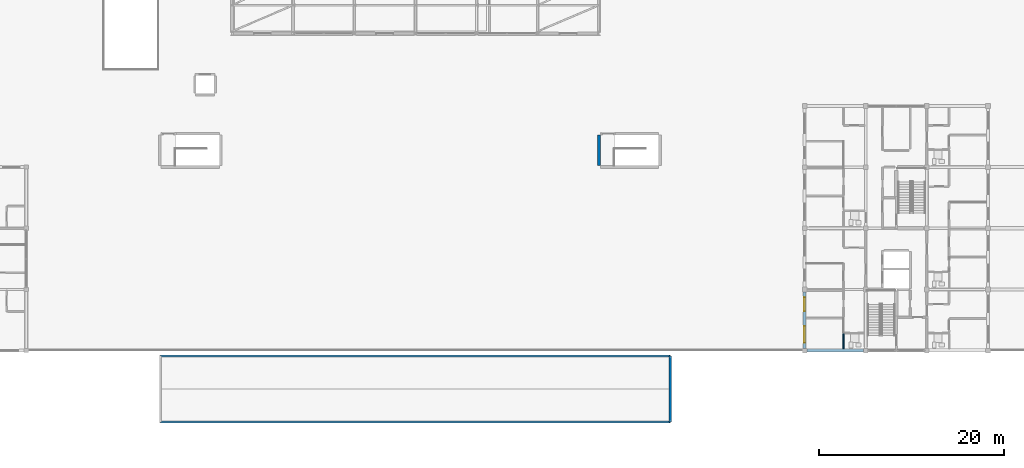
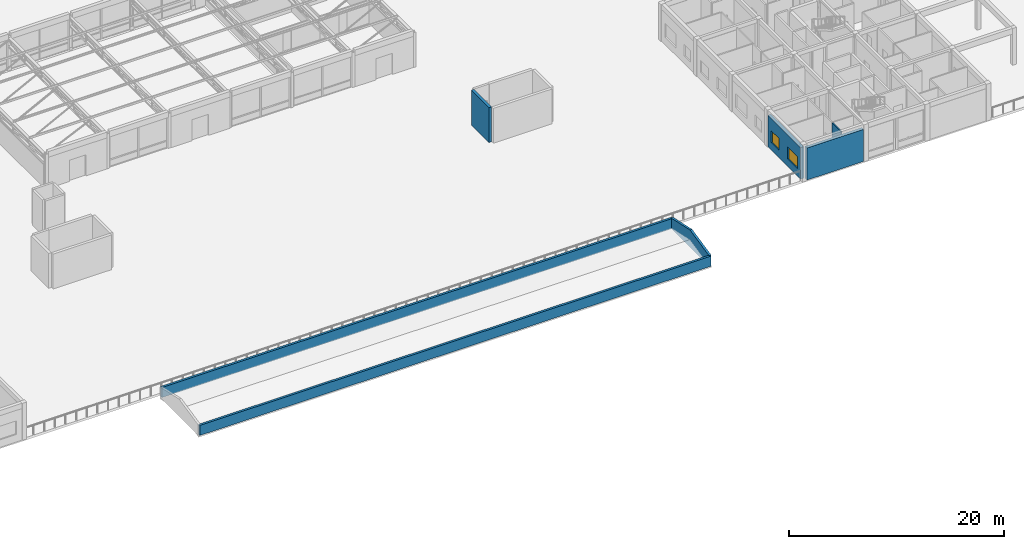
# One storey, part 67 of 92: 7 walls, 2 windows, 2 openings.
"""IFC4 building model written with IfcOpenShell, lengths in metres."""

from ifc_helpers import new_model, si_unit, direction, frame, frame_2d, origin, place, context, subcontext, project, spatial, polyline, rectangle, outline, extrude, material, layer, layer_set, type_object, element, fill, save


model = new_model("IFC4")

# Units and contexts
model_context = context("Model", 3, precision=1e-05, world=origin(), true_north=direction((0.0, 1.0)))
body_context = subcontext(model_context, "Body", "Model", "MODEL_VIEW")
ifc_project = project(units=[si_unit("LENGTHUNIT", "METRE"), si_unit("AREAUNIT", "SQUARE_METRE"), si_unit("VOLUMEUNIT", "CUBIC_METRE"), si_unit("PLANEANGLEUNIT", "RADIAN"), si_unit("MASSUNIT", "GRAM", prefix="KILO")], contexts=[model_context])

# Site, building, storey
site_placement = place(None, origin())
site = spatial("IfcSite", under=ifc_project, at=site_placement, CompositionType="ELEMENT")
building_placement = place(site_placement, origin())
building = spatial("IfcBuilding", under=site, at=building_placement, Name="Kernevlak Ridge Housing Community", CompositionType="ELEMENT")
storey_placement = place(building_placement, frame((0.0, 0.0, 4.199951171875)))
storey = spatial("IfcBuildingStorey", under=building, at=storey_placement, Name="L01", CompositionType="ELEMENT", Elevation=4.199951171875)

# Wall, openings, windows
ifc_material_1 = material(Name="Concrete block masonry M10", Category="masonry")
ifc_layer_1 = layer(ifc_material_1, 0.340087890625, Name="Concrete block masonry M10")
ifc_layer_set_1 = layer_set([ifc_layer_1], Name="Concrete block masonry M10")
wall_type_1 = type_object("IfcWallType", Name="EW-04", PredefinedType="STANDARD", material=ifc_layer_set_1)
wall_1_placement = place(storey_placement, frame((126.0, 15.85009765625, 0.0), z_axis=(0.0, 0.0, 1.0), x_axis=(0.0, 1.0, 0.0)))
wall_1 = element("IfcWall", 1, at=wall_1_placement, inside=storey, type_object=wall_type_1, Name="Exterior wall EW-04 L01 546", PredefinedType="STANDARD", context=body_context, shape_type="SweptSolid", body=[
    extrude(rectangle(XDim=6.099853515625, YDim=0.340087890625, at=frame_2d((3.0498046875, 0.0))), origin(), (0.0, 0.0, 1.0), 3.60009765625),
])
opening_1_placement = place(wall_1_placement, frame((0.60009765625, 0.0, 0.85009765625)))
opening_1 = element("IfcOpeningElement", 2, at=opening_1_placement, cuts=wall_1, Name="Opening WT-03", PredefinedType="OPENING", context=body_context, shape_type="SweptSolid", body=[
    extrude(rectangle(XDim=1.800048828125, YDim=1.35009765625, at=frame_2d((0.89990234375, 0.675048828125))), frame((0.0, 0.179931640625, 0.0), z_axis=(0.0, -1.0, 0.0), x_axis=(1.0, 0.0, 0.0)), (0.0, 0.0, 1.0), 0.360107421875),
])
opening_2_placement = place(wall_1_placement, frame((4.0, 0.0, 0.85009765625)))
opening_2 = element("IfcOpeningElement", 3, at=opening_2_placement, cuts=wall_1, Name="Opening WT-02", PredefinedType="OPENING", context=body_context, shape_type="SweptSolid", body=[
    extrude(rectangle(XDim=1.5, YDim=1.35009765625, at=frame_2d((0.75, 0.675048828125))), frame((0.0, 0.179931640625, 0.0), z_axis=(0.0, -1.0, 0.0), x_axis=(1.0, 0.0, 0.0)), (0.0, 0.0, 1.0), 0.360107421875),
])
ifc_material_2 = material(Name="Aluminium EN AW-6060 anodised and laminated glass", Category="aluminium")
window_type_1 = type_object("IfcWindowType", Name="WT-02", PartitioningType="SINGLE_PANEL", PredefinedType="WINDOW", material=ifc_material_2)
window_1_placement = place(opening_2_placement, origin())
window_1 = element("IfcWindow", 4, at=window_1_placement, inside=storey, type_object=window_type_1, Name="Window WT-02 L01 428", OverallHeight=1.35009765625, OverallWidth=1.5, PartitioningType="SINGLE_PANEL", PredefinedType="WINDOW", context=body_context, shape_type="SweptSolid", body=[
    extrude(rectangle(XDim=1.5, YDim=1.35009765625, at=frame_2d((0.75, 0.675048828125))), frame((0.0, 0.030029296875, 0.0), z_axis=(0.0, -1.0, 0.0), x_axis=(1.0, 0.0, 0.0)), (0.0, 0.0, 1.0), 0.06005859375),
])
fill(opening_2, window_1)
window_type_2 = type_object("IfcWindowType", Name="WT-03", PartitioningType="SINGLE_PANEL", PredefinedType="WINDOW", material=ifc_material_2)
window_2_placement = place(opening_1_placement, origin())
window_2 = element("IfcWindow", 5, at=window_2_placement, inside=storey, type_object=window_type_2, Name="Window WT-03 L01 427", OverallHeight=1.35009765625, OverallWidth=1.800048828125, PartitioningType="SINGLE_PANEL", PredefinedType="WINDOW", context=body_context, shape_type="SweptSolid", body=[
    extrude(rectangle(XDim=1.800048828125, YDim=1.35009765625, at=frame_2d((0.89990234375, 0.675048828125))), frame((0.0, 0.030029296875, 0.0), z_axis=(0.0, -1.0, 0.0), x_axis=(1.0, 0.0, 0.0)), (0.0, 0.0, 1.0), 0.06005859375),
])
fill(opening_1, window_2)

# Walls
wall_2_placement = place(storey_placement, frame((126.25, 15.60009765625, 0.0), z_axis=(0.0, 0.0, 1.0), x_axis=(1.0, 0.0, 0.0)))
element("IfcWall", 6, at=wall_2_placement, inside=storey, type_object=wall_type_1, Name="Exterior wall EW-04 L01 554", PredefinedType="STANDARD", context=body_context, shape_type="SweptSolid", body=[
    extrude(rectangle(XDim=6.10009765625, YDim=0.340087890625, at=frame_2d((3.050048828125, 0.0))), origin(), (0.0, 0.0, 1.0), 3.650146484375),
])
ifc_material_3 = material(Name="Concrete C35/45", Category="concrete")
ifc_layer_2 = layer(ifc_material_3, 0.235107421875, Name="Concrete C35/45")
ifc_layer_set_2 = layer_set([ifc_layer_2], Name="Concrete C35/45")
wall_type_2 = type_object("IfcWallType", Name="PR-04", PredefinedType="PARAPET", material=ifc_layer_set_2)
wall_3_placement = place(storey_placement, frame((56.5, 7.89990234375, 0.0), z_axis=(0.0, 0.0, 1.0), x_axis=(1.0, 0.0, 0.0)))
element("IfcWall", 7, at=wall_3_placement, inside=storey, type_object=wall_type_2, Name="Retail roof parapet 1", PredefinedType="PARAPET", context=body_context, shape_type="SweptSolid", body=[
    extrude(rectangle(XDim=55.0, YDim=0.235107421875, at=frame_2d((27.5, 0.0))), origin(), (0.0, 0.0, 1.0), 1.150146484375),
])
wall_4_placement = place(storey_placement, frame((111.5, 7.89990234375, 0.0), z_axis=(0.0, 0.0, 1.0), x_axis=(0.0, 1.0, 0.0)))
element("IfcWall", 8, at=wall_4_placement, inside=storey, type_object=wall_type_2, Name="Retail roof parapet 2", PredefinedType="PARAPET", context=body_context, shape_type="SweptSolid", body=[
    extrude(outline(polyline([(0.0, 0.0), (7.10009765625, 0.0), (7.10009765625, 1.172119140625), (3.550048828125, 1.949951171875), (0.0, 1.172119140625), (0.0, 0.0)])), frame((0.0, 0.11767578125, 0.0), z_axis=(0.0, -1.0, 0.0), x_axis=(1.0, 0.0, 0.0)), (0.0, 0.0, 1.0), 0.235107421875),
])
wall_5_placement = place(storey_placement, frame((111.5, 15.0, 0.0), z_axis=(0.0, 0.0, 1.0), x_axis=(-1.0, 0.0, 0.0)))
element("IfcWall", 9, at=wall_5_placement, inside=storey, type_object=wall_type_2, Name="Retail roof parapet 3", PredefinedType="PARAPET", context=body_context, shape_type="SweptSolid", body=[
    extrude(rectangle(XDim=55.0, YDim=0.235107421875, at=frame_2d((27.5, 0.0))), origin(), (0.0, 0.0, 1.0), 1.150146484375),
])
ifc_material_4 = material(Name="Gypsum plasterboard EN 520", Category="gypsum")
ifc_layer_3 = layer(ifc_material_4, 0.125, Name="Gypsum plasterboard EN 520")
ifc_layer_set_3 = layer_set([ifc_layer_3], Name="Gypsum plasterboard EN 520")
wall_type_3 = type_object("IfcWallType", Name="PW-04", PredefinedType="PARTITIONING", material=ifc_layer_set_3)
wall_6_placement = place(storey_placement, frame((130.199951171875, 15.780029296875, 0.0), z_axis=(0.0, 0.0, 1.0), x_axis=(0.0, 1.0, 0.0)))
element("IfcWall", 10, at=wall_6_placement, inside=storey, type_object=wall_type_3, Name="Interior wall PW-04 WAL-INT-L01-2183", PredefinedType="PARTITIONING", context=body_context, shape_type="SweptSolid", body=[
    extrude(rectangle(XDim=1.639892578125, YDim=0.125, at=frame_2d((0.81982421875, 0.0))), origin(), (0.0, 0.0, 1.0), 3.9599609375),
])
ifc_material_5 = material(Name="Concrete C40/50", Category="concrete")
ifc_layer_4 = layer(ifc_material_5, 0.300048828125, Name="Concrete C40/50")
ifc_layer_set_4 = layer_set([ifc_layer_4], Name="Concrete C40/50")
wall_type_4 = type_object("IfcWallType", Name="SW-02", PredefinedType="SHEAR", material=ifc_layer_set_4)
wall_7_placement = place(storey_placement, frame((103.800048828125, 35.550048828125, 0.0), z_axis=(0.0, 0.0, 1.0), x_axis=(0.0, 1.0, 0.0)))
element("IfcWall", 11, at=wall_7_placement, inside=storey, type_object=wall_type_4, Name="Podium stair shear wall ST-P2 L01", PredefinedType="SHEAR", context=body_context, shape_type="SweptSolid", body=[
    extrude(rectangle(XDim=3.300048828125, YDim=0.300048828125, at=frame_2d((1.64990234375, 0.0))), origin(), (0.0, 0.0, 1.0), 3.9599609375),
])

save(model, "model.ifc")
